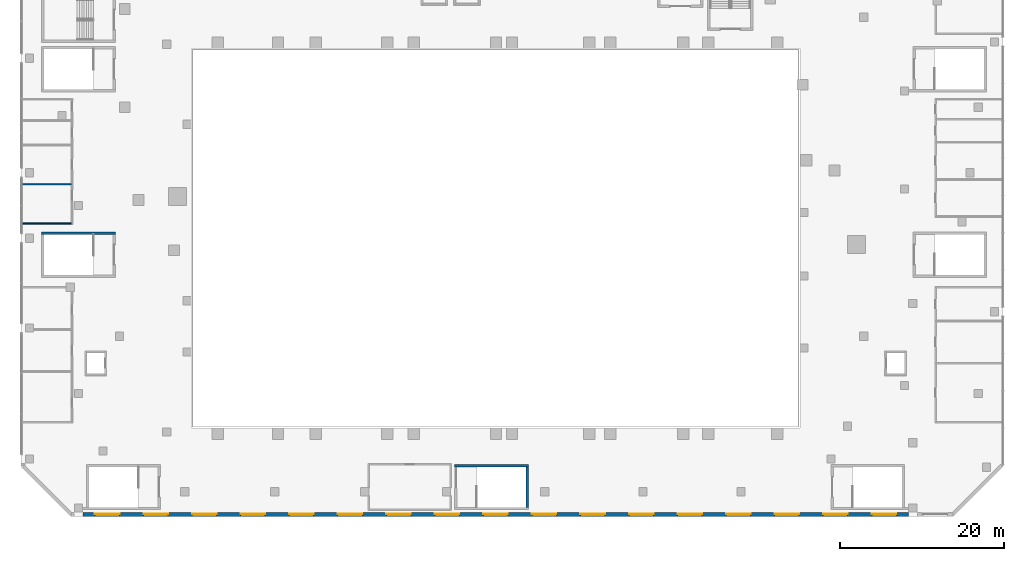
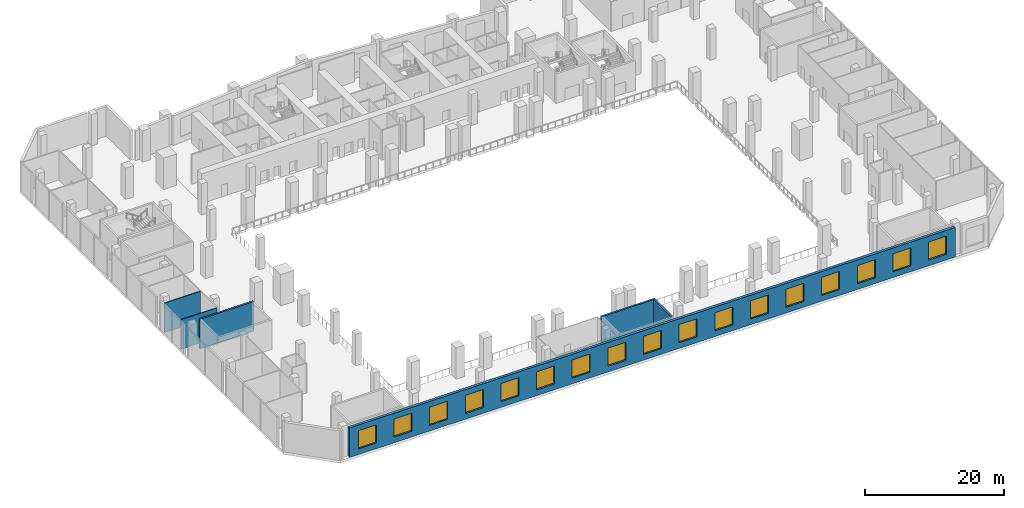
# One storey, part 11 of 25: 17 windows, 6 walls, 17 openings.
"""IFC4 building model written with IfcOpenShell, lengths in metres."""

from ifc_helpers import new_model, si_unit, direction, frame, frame_2d, origin, place, context, subcontext, project, spatial, rectangle, extrude, material, layer, layer_set, type_object, element, fill, save


model = new_model("IFC4")

# Units and contexts
model_context = context("Model", 3, precision=1e-05, world=origin(), true_north=direction((0.0, 1.0)))
body_context = subcontext(model_context, "Body", "Model", "MODEL_VIEW")
ifc_project = project(units=[si_unit("LENGTHUNIT", "METRE"), si_unit("AREAUNIT", "SQUARE_METRE"), si_unit("VOLUMEUNIT", "CUBIC_METRE"), si_unit("PLANEANGLEUNIT", "RADIAN"), si_unit("MASSUNIT", "GRAM", prefix="KILO")], contexts=[model_context])

# Site, building, storey
site_placement = place(None, origin())
site = spatial("IfcSite", under=ifc_project, at=site_placement, CompositionType="ELEMENT")
building_placement = place(site_placement, origin())
building = spatial("IfcBuilding", under=site, at=building_placement, Name="Wharfspan Tower", CompositionType="ELEMENT")
storey_placement = place(building_placement, frame((0.0, 0.0, 27.5)))
storey = spatial("IfcBuildingStorey", under=building, at=storey_placement, Name="L04", CompositionType="ELEMENT", Elevation=27.5)

# Walls
ifc_material_1 = material(Name="Calcium silicate masonry", Category="masonry")
ifc_layer_1 = layer(ifc_material_1, 0.149902)
ifc_layer_set_1 = layer_set([ifc_layer_1], Name="Calcium silicate masonry")
wall_type_1 = type_object("IfcWallType", Name="Podium room wall 150", PredefinedType="PARTITIONING", material=ifc_layer_set_1)
for number, where, z_axis, x_axis, name in (
    (1, (-11.89502, 3.800049, 0.0), (0.0, 0.0, 1.0), (1.0, 0.0, 0.0), "iw:L04:10"),
    (2, (-11.89502, 8.600098, 0.0), (0.0, 0.0, 1.0), (1.0, 0.0, 0.0), "iw:L04:11"),
):
    element("IfcWall", number, at=place(storey_placement, frame(where, z_axis=z_axis, x_axis=x_axis)), inside=storey, type_object=wall_type_1, Name=name, PredefinedType="PARTITIONING", context=body_context, shape_type="SweptSolid", body=[
        extrude(rectangle(XDim=6.02002, YDim=0.149902, at=frame_2d((3.01001, 0.0))), origin(), (0.0, 0.0, 1.0), 5.199951),
    ])
ifc_material_2 = material(Name="Concrete C40/50", Category="concrete")
ifc_layer_2 = layer(ifc_material_2, 0.300049)
ifc_layer_set_2 = layer_set([ifc_layer_2], Name="Concrete C40/50")
wall_type_2 = type_object("IfcWallType", Name="Podium stair core wall 300", PredefinedType="SHEAR", material=ifc_layer_set_2)
wall_1_placement = place(storey_placement, frame((41.0, -25.800049, 0.0), z_axis=(0.0, 0.0, 1.0), x_axis=(1.0, 0.0, 0.0)))
element("IfcWall", 3, at=wall_1_placement, inside=storey, type_object=wall_type_2, Name="iw:L04:AS5N", PredefinedType="SHEAR", context=body_context, shape_type="SweptSolid", body=[
    extrude(rectangle(XDim=9.0, YDim=0.300049, at=frame_2d((4.5, 0.0))), origin(), (0.0, 0.0, 1.0), 5.199951),
])
wall_2_placement = place(storey_placement, frame((49.850098, -30.899902, 0.0), z_axis=(0.0, 0.0, 1.0), x_axis=(0.0, 1.0, 0.0)))
element("IfcWall", 4, at=wall_2_placement, inside=storey, type_object=wall_type_2, Name="iw:L04:AS5E", PredefinedType="SHEAR", context=body_context, shape_type="SweptSolid", body=[
    extrude(rectangle(XDim=4.949951, YDim=0.300049, at=frame_2d((2.475098, 0.0))), origin(), (0.0, 0.0, 1.0), 5.199951),
])
wall_3_placement = place(storey_placement, frame((-9.5, 2.600098, 0.0), z_axis=(0.0, 0.0, 1.0), x_axis=(1.0, 0.0, 0.0)))
element("IfcWall", 5, at=wall_3_placement, inside=storey, type_object=wall_type_2, Name="iw:L04:AS7N", PredefinedType="SHEAR", context=body_context, shape_type="SweptSolid", body=[
    extrude(rectangle(XDim=9.0, YDim=0.300049, at=frame_2d((4.5, 0.0))), origin(), (0.0, 0.0, 1.0), 5.199951),
])

# Wall, openings, windows
ifc_layer_3 = layer(ifc_material_2, 0.449951)
ifc_layer_set_3 = layer_set([ifc_layer_3], Name="Concrete C40/50")
wall_type_3 = type_object("IfcWallType", Name="WALL BOARD-MARKED CONCRETE 450", PredefinedType="SOLIDWALL", material=ifc_layer_set_3)
wall_4_placement = place(storey_placement, frame((-4.449951, -31.774902, 0.0), z_axis=(0.0, 0.0, 1.0), x_axis=(1.0, 0.0, 0.0)))
wall_4 = element("IfcWall", 6, at=wall_4_placement, inside=storey, type_object=wall_type_3, Name="Podium wall PF1", PredefinedType="SOLIDWALL", context=body_context, shape_type="SweptSolid", body=[
    extrude(rectangle(XDim=100.899902, YDim=0.449951, at=frame_2d((50.449951, 0.0))), origin(), (0.0, 0.0, 1.0), 5.199951),
])
opening_1_placement = place(wall_4_placement, frame((1.467529, 0.0, 1.0)))
opening_1 = element("IfcOpeningElement", 7, at=opening_1_placement, cuts=wall_4, Name="Opening EWN4", PredefinedType="OPENING", context=body_context, shape_type="SweptSolid", body=[
    extrude(rectangle(XDim=3.0, YDim=3.199951, at=frame_2d((1.5, 1.600098))), frame((0.0, 0.234863, 0.0), z_axis=(0.0, -1.0, 0.0), x_axis=(1.0, 0.0, 0.0)), (0.0, 0.0, 1.0), 0.469971),
])
opening_2_placement = place(wall_4_placement, frame((7.402832, 0.0, 1.0)))
opening_2 = element("IfcOpeningElement", 8, at=opening_2_placement, cuts=wall_4, Name="Opening EWN4", PredefinedType="OPENING", context=body_context, shape_type="SweptSolid", body=[
    extrude(rectangle(XDim=3.0, YDim=3.199951, at=frame_2d((1.5, 1.600098))), frame((0.0, 0.234863, 0.0), z_axis=(0.0, -1.0, 0.0), x_axis=(1.0, 0.0, 0.0)), (0.0, 0.0, 1.0), 0.469971),
])
opening_3_placement = place(wall_4_placement, frame((13.338135, 0.0, 1.0)))
opening_3 = element("IfcOpeningElement", 9, at=opening_3_placement, cuts=wall_4, Name="Opening EWN4", PredefinedType="OPENING", context=body_context, shape_type="SweptSolid", body=[
    extrude(rectangle(XDim=3.0, YDim=3.199951, at=frame_2d((1.5, 1.600098))), frame((0.0, 0.234863, 0.0), z_axis=(0.0, -1.0, 0.0), x_axis=(1.0, 0.0, 0.0)), (0.0, 0.0, 1.0), 0.469971),
])
opening_4_placement = place(wall_4_placement, frame((19.273438, 0.0, 1.0)))
opening_4 = element("IfcOpeningElement", 10, at=opening_4_placement, cuts=wall_4, Name="Opening EWN4", PredefinedType="OPENING", context=body_context, shape_type="SweptSolid", body=[
    extrude(rectangle(XDim=3.0, YDim=3.199951, at=frame_2d((1.5, 1.600098))), frame((0.0, 0.234863, 0.0), z_axis=(0.0, -1.0, 0.0), x_axis=(1.0, 0.0, 0.0)), (0.0, 0.0, 1.0), 0.469971),
])
opening_5_placement = place(wall_4_placement, frame((25.20874, 0.0, 1.0)))
opening_5 = element("IfcOpeningElement", 11, at=opening_5_placement, cuts=wall_4, Name="Opening EWN4", PredefinedType="OPENING", context=body_context, shape_type="SweptSolid", body=[
    extrude(rectangle(XDim=3.0, YDim=3.199951, at=frame_2d((1.5, 1.600098))), frame((0.0, 0.234863, 0.0), z_axis=(0.0, -1.0, 0.0), x_axis=(1.0, 0.0, 0.0)), (0.0, 0.0, 1.0), 0.469971),
])
opening_6_placement = place(wall_4_placement, frame((31.144043, 0.0, 1.0)))
opening_6 = element("IfcOpeningElement", 12, at=opening_6_placement, cuts=wall_4, Name="Opening EWN4", PredefinedType="OPENING", context=body_context, shape_type="SweptSolid", body=[
    extrude(rectangle(XDim=3.0, YDim=3.199951, at=frame_2d((1.5, 1.600098))), frame((0.0, 0.234863, 0.0), z_axis=(0.0, -1.0, 0.0), x_axis=(1.0, 0.0, 0.0)), (0.0, 0.0, 1.0), 0.469971),
])
opening_7_placement = place(wall_4_placement, frame((37.079346, 0.0, 1.0)))
opening_7 = element("IfcOpeningElement", 13, at=opening_7_placement, cuts=wall_4, Name="Opening EWN4", PredefinedType="OPENING", context=body_context, shape_type="SweptSolid", body=[
    extrude(rectangle(XDim=3.0, YDim=3.199951, at=frame_2d((1.5, 1.600098))), frame((0.0, 0.234863, 0.0), z_axis=(0.0, -1.0, 0.0), x_axis=(1.0, 0.0, 0.0)), (0.0, 0.0, 1.0), 0.469971),
])
opening_8_placement = place(wall_4_placement, frame((43.014648, 0.0, 1.0)))
opening_8 = element("IfcOpeningElement", 14, at=opening_8_placement, cuts=wall_4, Name="Opening EWN4", PredefinedType="OPENING", context=body_context, shape_type="SweptSolid", body=[
    extrude(rectangle(XDim=3.0, YDim=3.199951, at=frame_2d((1.5, 1.600098))), frame((0.0, 0.234863, 0.0), z_axis=(0.0, -1.0, 0.0), x_axis=(1.0, 0.0, 0.0)), (0.0, 0.0, 1.0), 0.469971),
])
opening_9_placement = place(wall_4_placement, frame((48.949951, 0.0, 1.0)))
opening_9 = element("IfcOpeningElement", 15, at=opening_9_placement, cuts=wall_4, Name="Opening EWN4", PredefinedType="OPENING", context=body_context, shape_type="SweptSolid", body=[
    extrude(rectangle(XDim=3.0, YDim=3.199951, at=frame_2d((1.5, 1.600098))), frame((0.0, 0.234863, 0.0), z_axis=(0.0, -1.0, 0.0), x_axis=(1.0, 0.0, 0.0)), (0.0, 0.0, 1.0), 0.469971),
])
opening_10_placement = place(wall_4_placement, frame((54.885254, 0.0, 1.0)))
opening_10 = element("IfcOpeningElement", 16, at=opening_10_placement, cuts=wall_4, Name="Opening EWN4", PredefinedType="OPENING", context=body_context, shape_type="SweptSolid", body=[
    extrude(rectangle(XDim=3.0, YDim=3.199951, at=frame_2d((1.5, 1.600098))), frame((0.0, 0.234863, 0.0), z_axis=(0.0, -1.0, 0.0), x_axis=(1.0, 0.0, 0.0)), (0.0, 0.0, 1.0), 0.469971),
])
opening_11_placement = place(wall_4_placement, frame((60.820557, 0.0, 1.0)))
opening_11 = element("IfcOpeningElement", 17, at=opening_11_placement, cuts=wall_4, Name="Opening EWN4", PredefinedType="OPENING", context=body_context, shape_type="SweptSolid", body=[
    extrude(rectangle(XDim=3.0, YDim=3.199951, at=frame_2d((1.5, 1.600098))), frame((0.0, 0.234863, 0.0), z_axis=(0.0, -1.0, 0.0), x_axis=(1.0, 0.0, 0.0)), (0.0, 0.0, 1.0), 0.469971),
])
opening_12_placement = place(wall_4_placement, frame((66.755859, 0.0, 1.0)))
opening_12 = element("IfcOpeningElement", 18, at=opening_12_placement, cuts=wall_4, Name="Opening EWN4", PredefinedType="OPENING", context=body_context, shape_type="SweptSolid", body=[
    extrude(rectangle(XDim=3.0, YDim=3.199951, at=frame_2d((1.5, 1.600098))), frame((0.0, 0.234863, 0.0), z_axis=(0.0, -1.0, 0.0), x_axis=(1.0, 0.0, 0.0)), (0.0, 0.0, 1.0), 0.469971),
])
opening_13_placement = place(wall_4_placement, frame((72.691162, 0.0, 1.0)))
opening_13 = element("IfcOpeningElement", 19, at=opening_13_placement, cuts=wall_4, Name="Opening EWN4", PredefinedType="OPENING", context=body_context, shape_type="SweptSolid", body=[
    extrude(rectangle(XDim=3.0, YDim=3.199951, at=frame_2d((1.5, 1.600098))), frame((0.0, 0.234863, 0.0), z_axis=(0.0, -1.0, 0.0), x_axis=(1.0, 0.0, 0.0)), (0.0, 0.0, 1.0), 0.469971),
])
opening_14_placement = place(wall_4_placement, frame((78.626465, 0.0, 1.0)))
opening_14 = element("IfcOpeningElement", 20, at=opening_14_placement, cuts=wall_4, Name="Opening EWN4", PredefinedType="OPENING", context=body_context, shape_type="SweptSolid", body=[
    extrude(rectangle(XDim=3.0, YDim=3.199951, at=frame_2d((1.5, 1.600098))), frame((0.0, 0.234863, 0.0), z_axis=(0.0, -1.0, 0.0), x_axis=(1.0, 0.0, 0.0)), (0.0, 0.0, 1.0), 0.469971),
])
opening_15_placement = place(wall_4_placement, frame((84.561768, 0.0, 1.0)))
opening_15 = element("IfcOpeningElement", 21, at=opening_15_placement, cuts=wall_4, Name="Opening EWN4", PredefinedType="OPENING", context=body_context, shape_type="SweptSolid", body=[
    extrude(rectangle(XDim=3.0, YDim=3.199951, at=frame_2d((1.5, 1.600098))), frame((0.0, 0.234863, 0.0), z_axis=(0.0, -1.0, 0.0), x_axis=(1.0, 0.0, 0.0)), (0.0, 0.0, 1.0), 0.469971),
])
opening_16_placement = place(wall_4_placement, frame((90.49707, 0.0, 1.0)))
opening_16 = element("IfcOpeningElement", 22, at=opening_16_placement, cuts=wall_4, Name="Opening EWN4", PredefinedType="OPENING", context=body_context, shape_type="SweptSolid", body=[
    extrude(rectangle(XDim=3.0, YDim=3.199951, at=frame_2d((1.5, 1.600098))), frame((0.0, 0.234863, 0.0), z_axis=(0.0, -1.0, 0.0), x_axis=(1.0, 0.0, 0.0)), (0.0, 0.0, 1.0), 0.469971),
])
opening_17_placement = place(wall_4_placement, frame((96.432373, 0.0, 1.0)))
opening_17 = element("IfcOpeningElement", 23, at=opening_17_placement, cuts=wall_4, Name="Opening EWN4", PredefinedType="OPENING", context=body_context, shape_type="SweptSolid", body=[
    extrude(rectangle(XDim=3.0, YDim=3.199951, at=frame_2d((1.5, 1.600098))), frame((0.0, 0.234863, 0.0), z_axis=(0.0, -1.0, 0.0), x_axis=(1.0, 0.0, 0.0)), (0.0, 0.0, 1.0), 0.469971),
])
ifc_material_3 = material(Name="Aluminium 6063-T6", Category="aluminium")
window_type = type_object("IfcWindowType", Name="WINDOW 3000x3200", PartitioningType="SINGLE_PANEL", PredefinedType="WINDOW", material=ifc_material_3)
window_1_placement = place(opening_1_placement, origin())
window_1 = element("IfcWindow", 24, at=window_1_placement, inside=storey, type_object=window_type, Name="Podium window", OverallHeight=3.199951, OverallWidth=3.0, PartitioningType="SINGLE_PANEL", PredefinedType="WINDOW", context=body_context, shape_type="SweptSolid", body=[
    extrude(rectangle(XDim=3.0, YDim=3.199951, at=frame_2d((1.5, 1.600098))), frame((0.0, 0.10498, 0.0), z_axis=(0.0, -1.0, 0.0), x_axis=(1.0, 0.0, 0.0)), (0.0, 0.0, 1.0), 0.060059),
])
fill(opening_1, window_1)
window_2_placement = place(opening_2_placement, origin())
window_2 = element("IfcWindow", 25, at=window_2_placement, inside=storey, type_object=window_type, Name="Podium window", OverallHeight=3.199951, OverallWidth=3.0, PartitioningType="SINGLE_PANEL", PredefinedType="WINDOW", context=body_context, shape_type="SweptSolid", body=[
    extrude(rectangle(XDim=3.0, YDim=3.199951, at=frame_2d((1.5, 1.600098))), frame((0.0, 0.10498, 0.0), z_axis=(0.0, -1.0, 0.0), x_axis=(1.0, 0.0, 0.0)), (0.0, 0.0, 1.0), 0.060059),
])
fill(opening_2, window_2)
window_3_placement = place(opening_3_placement, origin())
window_3 = element("IfcWindow", 26, at=window_3_placement, inside=storey, type_object=window_type, Name="Podium window", OverallHeight=3.199951, OverallWidth=3.0, PartitioningType="SINGLE_PANEL", PredefinedType="WINDOW", context=body_context, shape_type="SweptSolid", body=[
    extrude(rectangle(XDim=3.0, YDim=3.199951, at=frame_2d((1.5, 1.600098))), frame((0.0, 0.10498, 0.0), z_axis=(0.0, -1.0, 0.0), x_axis=(1.0, 0.0, 0.0)), (0.0, 0.0, 1.0), 0.060059),
])
fill(opening_3, window_3)
window_4_placement = place(opening_4_placement, origin())
window_4 = element("IfcWindow", 27, at=window_4_placement, inside=storey, type_object=window_type, Name="Podium window", OverallHeight=3.199951, OverallWidth=3.0, PartitioningType="SINGLE_PANEL", PredefinedType="WINDOW", context=body_context, shape_type="SweptSolid", body=[
    extrude(rectangle(XDim=3.0, YDim=3.199951, at=frame_2d((1.5, 1.600098))), frame((0.0, 0.10498, 0.0), z_axis=(0.0, -1.0, 0.0), x_axis=(1.0, 0.0, 0.0)), (0.0, 0.0, 1.0), 0.060059),
])
fill(opening_4, window_4)
window_5_placement = place(opening_5_placement, origin())
window_5 = element("IfcWindow", 28, at=window_5_placement, inside=storey, type_object=window_type, Name="Podium window", OverallHeight=3.199951, OverallWidth=3.0, PartitioningType="SINGLE_PANEL", PredefinedType="WINDOW", context=body_context, shape_type="SweptSolid", body=[
    extrude(rectangle(XDim=3.0, YDim=3.199951, at=frame_2d((1.5, 1.600098))), frame((0.0, 0.10498, 0.0), z_axis=(0.0, -1.0, 0.0), x_axis=(1.0, 0.0, 0.0)), (0.0, 0.0, 1.0), 0.060059),
])
fill(opening_5, window_5)
window_6_placement = place(opening_6_placement, origin())
window_6 = element("IfcWindow", 29, at=window_6_placement, inside=storey, type_object=window_type, Name="Podium window", OverallHeight=3.199951, OverallWidth=3.0, PartitioningType="SINGLE_PANEL", PredefinedType="WINDOW", context=body_context, shape_type="SweptSolid", body=[
    extrude(rectangle(XDim=3.0, YDim=3.199951, at=frame_2d((1.5, 1.600098))), frame((0.0, 0.10498, 0.0), z_axis=(0.0, -1.0, 0.0), x_axis=(1.0, 0.0, 0.0)), (0.0, 0.0, 1.0), 0.060059),
])
fill(opening_6, window_6)
window_7_placement = place(opening_7_placement, origin())
window_7 = element("IfcWindow", 30, at=window_7_placement, inside=storey, type_object=window_type, Name="Podium window", OverallHeight=3.199951, OverallWidth=3.0, PartitioningType="SINGLE_PANEL", PredefinedType="WINDOW", context=body_context, shape_type="SweptSolid", body=[
    extrude(rectangle(XDim=3.0, YDim=3.199951, at=frame_2d((1.5, 1.600098))), frame((0.0, 0.10498, 0.0), z_axis=(0.0, -1.0, 0.0), x_axis=(1.0, 0.0, 0.0)), (0.0, 0.0, 1.0), 0.060059),
])
fill(opening_7, window_7)
window_8_placement = place(opening_8_placement, origin())
window_8 = element("IfcWindow", 31, at=window_8_placement, inside=storey, type_object=window_type, Name="Podium window", OverallHeight=3.199951, OverallWidth=3.0, PartitioningType="SINGLE_PANEL", PredefinedType="WINDOW", context=body_context, shape_type="SweptSolid", body=[
    extrude(rectangle(XDim=3.0, YDim=3.199951, at=frame_2d((1.5, 1.600098))), frame((0.0, 0.10498, 0.0), z_axis=(0.0, -1.0, 0.0), x_axis=(1.0, 0.0, 0.0)), (0.0, 0.0, 1.0), 0.060059),
])
fill(opening_8, window_8)
window_9_placement = place(opening_9_placement, origin())
window_9 = element("IfcWindow", 32, at=window_9_placement, inside=storey, type_object=window_type, Name="Podium window", OverallHeight=3.199951, OverallWidth=3.0, PartitioningType="SINGLE_PANEL", PredefinedType="WINDOW", context=body_context, shape_type="SweptSolid", body=[
    extrude(rectangle(XDim=3.0, YDim=3.199951, at=frame_2d((1.5, 1.600098))), frame((0.0, 0.10498, 0.0), z_axis=(0.0, -1.0, 0.0), x_axis=(1.0, 0.0, 0.0)), (0.0, 0.0, 1.0), 0.060059),
])
fill(opening_9, window_9)
window_10_placement = place(opening_10_placement, origin())
window_10 = element("IfcWindow", 33, at=window_10_placement, inside=storey, type_object=window_type, Name="Podium window", OverallHeight=3.199951, OverallWidth=3.0, PartitioningType="SINGLE_PANEL", PredefinedType="WINDOW", context=body_context, shape_type="SweptSolid", body=[
    extrude(rectangle(XDim=3.0, YDim=3.199951, at=frame_2d((1.5, 1.600098))), frame((0.0, 0.10498, 0.0), z_axis=(0.0, -1.0, 0.0), x_axis=(1.0, 0.0, 0.0)), (0.0, 0.0, 1.0), 0.060059),
])
fill(opening_10, window_10)
window_11_placement = place(opening_11_placement, origin())
window_11 = element("IfcWindow", 34, at=window_11_placement, inside=storey, type_object=window_type, Name="Podium window", OverallHeight=3.199951, OverallWidth=3.0, PartitioningType="SINGLE_PANEL", PredefinedType="WINDOW", context=body_context, shape_type="SweptSolid", body=[
    extrude(rectangle(XDim=3.0, YDim=3.199951, at=frame_2d((1.5, 1.600098))), frame((0.0, 0.10498, 0.0), z_axis=(0.0, -1.0, 0.0), x_axis=(1.0, 0.0, 0.0)), (0.0, 0.0, 1.0), 0.060059),
])
fill(opening_11, window_11)
window_12_placement = place(opening_12_placement, origin())
window_12 = element("IfcWindow", 35, at=window_12_placement, inside=storey, type_object=window_type, Name="Podium window", OverallHeight=3.199951, OverallWidth=3.0, PartitioningType="SINGLE_PANEL", PredefinedType="WINDOW", context=body_context, shape_type="SweptSolid", body=[
    extrude(rectangle(XDim=3.0, YDim=3.199951, at=frame_2d((1.5, 1.600098))), frame((0.0, 0.10498, 0.0), z_axis=(0.0, -1.0, 0.0), x_axis=(1.0, 0.0, 0.0)), (0.0, 0.0, 1.0), 0.060059),
])
fill(opening_12, window_12)
window_13_placement = place(opening_13_placement, origin())
window_13 = element("IfcWindow", 36, at=window_13_placement, inside=storey, type_object=window_type, Name="Podium window", OverallHeight=3.199951, OverallWidth=3.0, PartitioningType="SINGLE_PANEL", PredefinedType="WINDOW", context=body_context, shape_type="SweptSolid", body=[
    extrude(rectangle(XDim=3.0, YDim=3.199951, at=frame_2d((1.5, 1.600098))), frame((0.0, 0.10498, 0.0), z_axis=(0.0, -1.0, 0.0), x_axis=(1.0, 0.0, 0.0)), (0.0, 0.0, 1.0), 0.060059),
])
fill(opening_13, window_13)
window_14_placement = place(opening_14_placement, origin())
window_14 = element("IfcWindow", 37, at=window_14_placement, inside=storey, type_object=window_type, Name="Podium window", OverallHeight=3.199951, OverallWidth=3.0, PartitioningType="SINGLE_PANEL", PredefinedType="WINDOW", context=body_context, shape_type="SweptSolid", body=[
    extrude(rectangle(XDim=3.0, YDim=3.199951, at=frame_2d((1.5, 1.600098))), frame((0.0, 0.10498, 0.0), z_axis=(0.0, -1.0, 0.0), x_axis=(1.0, 0.0, 0.0)), (0.0, 0.0, 1.0), 0.060059),
])
fill(opening_14, window_14)
window_15_placement = place(opening_15_placement, origin())
window_15 = element("IfcWindow", 38, at=window_15_placement, inside=storey, type_object=window_type, Name="Podium window", OverallHeight=3.199951, OverallWidth=3.0, PartitioningType="SINGLE_PANEL", PredefinedType="WINDOW", context=body_context, shape_type="SweptSolid", body=[
    extrude(rectangle(XDim=3.0, YDim=3.199951, at=frame_2d((1.5, 1.600098))), frame((0.0, 0.10498, 0.0), z_axis=(0.0, -1.0, 0.0), x_axis=(1.0, 0.0, 0.0)), (0.0, 0.0, 1.0), 0.060059),
])
fill(opening_15, window_15)
window_16_placement = place(opening_16_placement, origin())
window_16 = element("IfcWindow", 39, at=window_16_placement, inside=storey, type_object=window_type, Name="Podium window", OverallHeight=3.199951, OverallWidth=3.0, PartitioningType="SINGLE_PANEL", PredefinedType="WINDOW", context=body_context, shape_type="SweptSolid", body=[
    extrude(rectangle(XDim=3.0, YDim=3.199951, at=frame_2d((1.5, 1.600098))), frame((0.0, 0.10498, 0.0), z_axis=(0.0, -1.0, 0.0), x_axis=(1.0, 0.0, 0.0)), (0.0, 0.0, 1.0), 0.060059),
])
fill(opening_16, window_16)
window_17_placement = place(opening_17_placement, origin())
window_17 = element("IfcWindow", 40, at=window_17_placement, inside=storey, type_object=window_type, Name="Podium window", OverallHeight=3.199951, OverallWidth=3.0, PartitioningType="SINGLE_PANEL", PredefinedType="WINDOW", context=body_context, shape_type="SweptSolid", body=[
    extrude(rectangle(XDim=3.0, YDim=3.199951, at=frame_2d((1.5, 1.600098))), frame((0.0, 0.10498, 0.0), z_axis=(0.0, -1.0, 0.0), x_axis=(1.0, 0.0, 0.0)), (0.0, 0.0, 1.0), 0.060059),
])
fill(opening_17, window_17)

save(model, "model.ifc")
